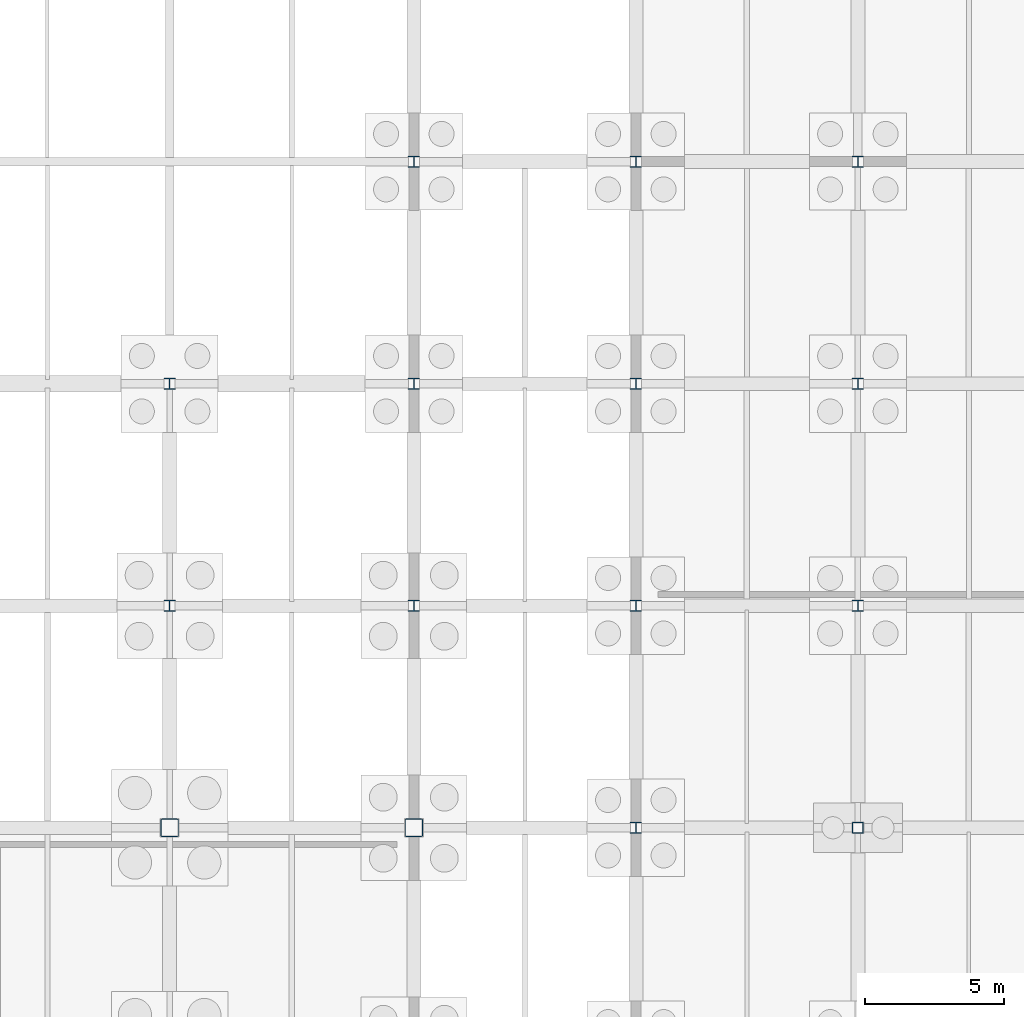
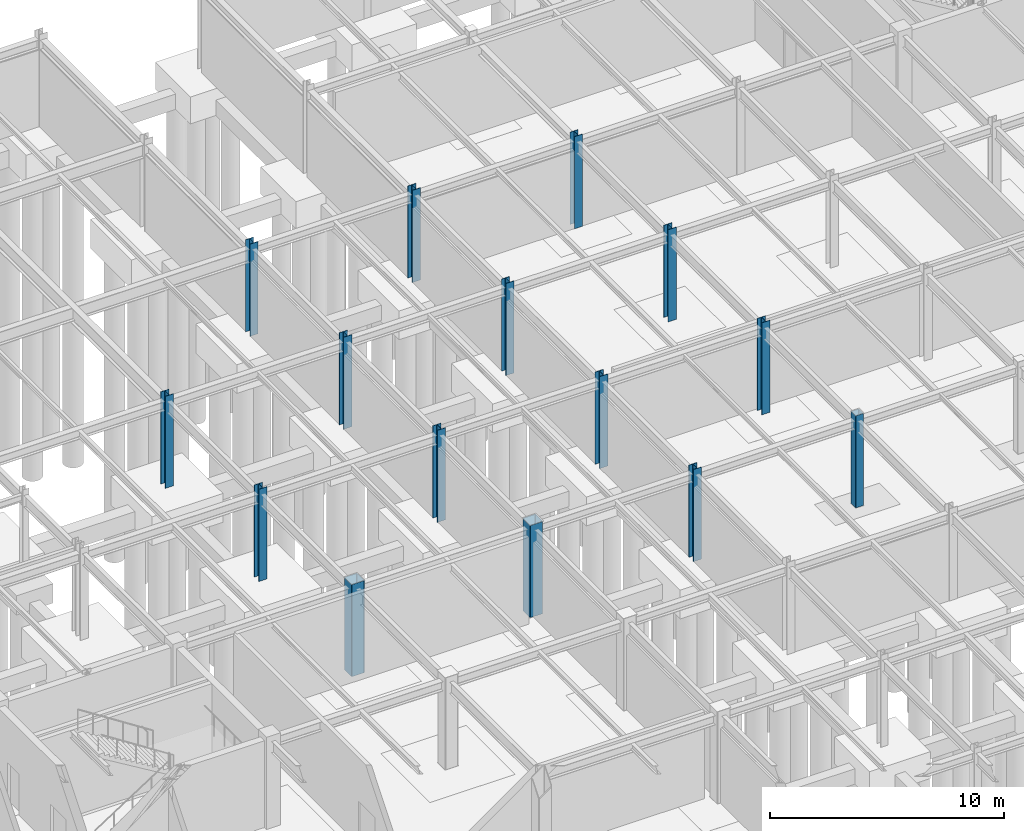
# One storey, part 22 of 72: 15 columns.
"""IFC4 building model written with IfcOpenShell, lengths in metres."""

from ifc_helpers import new_model, si_unit, direction, frame, origin, origin_2d, place, context, subcontext, project, spatial, hollow_rectangle, i_section, extrude, material, material_profile, profile_set, type_object, element, save


model = new_model("IFC4")

# Units and contexts
model_context = context("Model", 3, precision=1e-05, world=origin(), true_north=direction((0.0, 1.0)))
body_context = subcontext(model_context, "Body", "Model", "MODEL_VIEW")
ifc_project = project(units=[si_unit("LENGTHUNIT", "METRE"), si_unit("AREAUNIT", "SQUARE_METRE"), si_unit("VOLUMEUNIT", "CUBIC_METRE"), si_unit("PLANEANGLEUNIT", "RADIAN"), si_unit("MASSUNIT", "GRAM", prefix="KILO")], contexts=[model_context])

# Site, building, storey
site_placement = place(None, origin())
site = spatial("IfcSite", under=ifc_project, at=site_placement, CompositionType="ELEMENT")
building_placement = place(site_placement, origin())
building = spatial("IfcBuilding", under=site, at=building_placement, Name="Zhaolan Boulevard Law Courts", CompositionType="ELEMENT")
storey_placement = place(building_placement, frame((0.0, 0.0, -4.800048828125)))
storey = spatial("IfcBuildingStorey", under=building, at=storey_placement, Name="B1", CompositionType="ELEMENT", Elevation=-4.800048828125)

# Columns
ifc_material_1 = material(Name="Structural steel Q355B", Category="steel")
ifc_material_profile_1 = material_profile(ifc_material_1, hollow_rectangle(XDim=0.39990234375, YDim=0.39990234375, WallThickness=0.01611328125, InnerFilletRadius=0.01611328125, OuterFilletRadius=0.031982421875, at=origin_2d()), Name="BOX400x400x16")
ifc_profile_set_1 = profile_set([ifc_material_profile_1], Name="Structural steel Q355B")
column_type_1 = type_object("IfcColumnType", Name="COL BOX400", PredefinedType="COLUMN", material=ifc_profile_set_1)
column_placement = place(storey_placement, frame((60.0, 70.0, 0.0), z_axis=(0.0, 0.0, 1.0), x_axis=(1.0, 0.0, 0.0)))
element("IfcColumn", 1, at=column_placement, inside=storey, type_object=column_type_1, Name="Column C-8K (B1)", PredefinedType="COLUMN", context=body_context, shape_type="SweptSolid", body=[
    extrude(hollow_rectangle(XDim=0.39990234375, YDim=0.39990234375, WallThickness=0.01611328125, InnerFilletRadius=0.01611328125, OuterFilletRadius=0.031982421875, at=origin_2d()), origin(), (0.0, 0.0, 1.0), 4.800048828125),
])
ifc_material_2 = material(Name="Structural steel Q390B", Category="steel")
ifc_material_profile_2 = material_profile(ifc_material_2, hollow_rectangle(XDim=0.64990234375, YDim=0.64990234375, WallThickness=0.02587890625, InnerFilletRadius=0.02587890625, OuterFilletRadius=0.052001953125, at=origin_2d()), Name="BOX650x650x26")
ifc_profile_set_2 = profile_set([ifc_material_profile_2], Name="Structural steel Q390B")
column_type_2 = type_object("IfcColumnType", Name="COL BOX650", PredefinedType="COLUMN", material=ifc_profile_set_2)
for number, where, z_axis, x_axis, name in (
    (2, (35.199951171875, 70.0, 0.0), (0.0, 0.0, 1.0), (1.0, 0.0, 0.0), "Column C-5K (B1)"),
    (3, (44.0, 70.0, 0.0), (0.0, 0.0, 1.0), (1.0, 0.0, 0.0), "Column C-6K (B1)"),
):
    element("IfcColumn", number, at=place(storey_placement, frame(where, z_axis=z_axis, x_axis=x_axis)), inside=storey, type_object=column_type_2, Name=name, PredefinedType="COLUMN", context=body_context, shape_type="SweptSolid", body=[
        extrude(hollow_rectangle(XDim=0.64990234375, YDim=0.64990234375, WallThickness=0.02587890625, InnerFilletRadius=0.02587890625, OuterFilletRadius=0.052001953125, at=origin_2d()), origin(), (0.0, 0.0, 1.0), 4.800048828125),
    ])
ifc_material_3 = material(Name="Structural steel Q390B", Category="steel")
ifc_material_profile_3 = material_profile(ifc_material_3, i_section(OverallWidth=0.39990234375, OverallDepth=0.39990234375, WebThickness=0.012939453125, FlangeThickness=0.02099609375, FilletRadius=0.02197265625, at=origin_2d()), Name="HW400x400")
ifc_profile_set_3 = profile_set([ifc_material_profile_3], Name="Structural steel Q390B")
column_type_3 = type_object("IfcColumnType", Name="COL HW400", PredefinedType="COLUMN", material=ifc_profile_set_3)
for number, where, z_axis, x_axis, name in (
    (4, (35.199951171875, 78.0, 0.0), (0.0, 0.0, 1.0), (1.0, 0.0, 0.0), "Column C-5L (B1)"),
    (5, (35.199951171875, 86.0, 0.0), (0.0, 0.0, 1.0), (1.0, 0.0, 0.0), "Column C-5M (B1)"),
    (6, (44.0, 78.0, 0.0), (0.0, 0.0, 1.0), (1.0, 0.0, 0.0), "Column C-6L (B1)"),
    (7, (44.0, 86.0, 0.0), (0.0, 0.0, 1.0), (1.0, 0.0, 0.0), "Column C-6M (B1)"),
    (8, (44.0, 94.0, 0.0), (0.0, 0.0, 1.0), (1.0, 0.0, 0.0), "Column C-6N (B1)"),
    (9, (52.0, 70.0, 0.0), (0.0, 0.0, 1.0), (1.0, 0.0, 0.0), "Column C-7K (B1)"),
    (10, (52.0, 78.0, 0.0), (0.0, 0.0, 1.0), (1.0, 0.0, 0.0), "Column C-7L (B1)"),
    (11, (52.0, 86.0, 0.0), (0.0, 0.0, 1.0), (1.0, 0.0, 0.0), "Column C-7M (B1)"),
    (12, (52.0, 94.0, 0.0), (0.0, 0.0, 1.0), (1.0, 0.0, 0.0), "Column C-7N (B1)"),
    (13, (60.0, 78.0, 0.0), (0.0, 0.0, 1.0), (1.0, 0.0, 0.0), "Column C-8L (B1)"),
    (14, (60.0, 86.0, 0.0), (0.0, 0.0, 1.0), (1.0, 0.0, 0.0), "Column C-8M (B1)"),
    (15, (60.0, 94.0, 0.0), (0.0, 0.0, 1.0), (1.0, 0.0, 0.0), "Column C-8N (B1)"),
):
    element("IfcColumn", number, at=place(storey_placement, frame(where, z_axis=z_axis, x_axis=x_axis)), inside=storey, type_object=column_type_3, Name=name, PredefinedType="COLUMN", context=body_context, shape_type="SweptSolid", body=[
        extrude(i_section(OverallWidth=0.39990234375, OverallDepth=0.39990234375, WebThickness=0.012939453125, FlangeThickness=0.02099609375, FilletRadius=0.02197265625, at=origin_2d()), origin(), (0.0, 0.0, 1.0), 4.800048828125),
    ])

save(model, "model.ifc")
